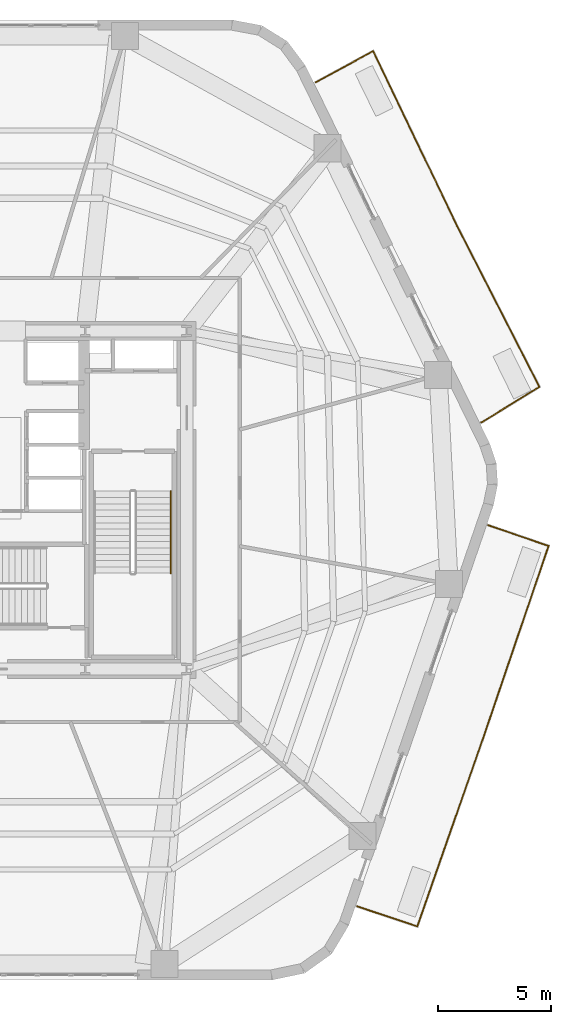
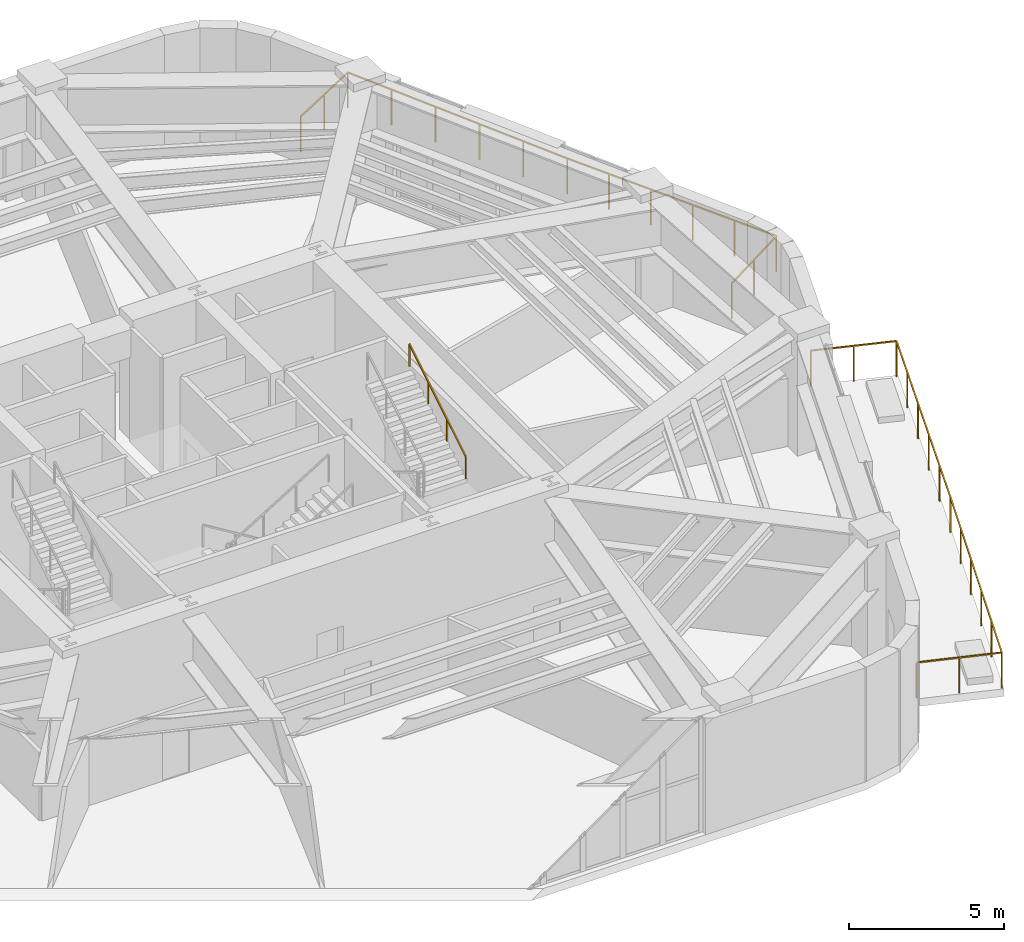
# One storey, part 22 of 22: 3 railings.
"""IFC4 building model written with IfcOpenShell, lengths in metres."""

from ifc_helpers import new_model, si_unit, direction, frame, origin, origin_2d, place, context, subcontext, project, spatial, rectangle, extrude, material, layer, layer_set, type_object, element, save


model = new_model("IFC4")

# Units and contexts
model_context = context("Model", 3, precision=1e-05, world=origin(), true_north=direction((0.0, 1.0)))
body_context = subcontext(model_context, "Body", "Model", "MODEL_VIEW")
ifc_project = project(units=[si_unit("LENGTHUNIT", "METRE"), si_unit("AREAUNIT", "SQUARE_METRE"), si_unit("VOLUMEUNIT", "CUBIC_METRE"), si_unit("PLANEANGLEUNIT", "RADIAN"), si_unit("MASSUNIT", "GRAM", prefix="KILO")], contexts=[model_context])

# Site, building, storey
site_placement = place(None, origin())
site = spatial("IfcSite", under=ifc_project, at=site_placement, CompositionType="ELEMENT")
building_placement = place(site_placement, origin())
building = spatial("IfcBuilding", under=site, at=building_placement, Name="Kilnhurst Terrace Hotel", CompositionType="ELEMENT")
storey_placement = place(building_placement, frame((0.0, 0.0, 139.5)))
storey = spatial("IfcBuildingStorey", under=building, at=storey_placement, Name="L34", CompositionType="ELEMENT", Elevation=139.5)

# Railings
ifc_material_1 = material(Name="Laminated SentryGlas and Stainless Steel AISI 316L Balustrade", Category="steel")
ifc_layer_1 = layer(ifc_material_1, 0.070068359375, Name="Laminated SentryGlas and Stainless Steel AISI 316L Balustrade")
ifc_layer_set_1 = layer_set([ifc_layer_1], Name="Laminated SentryGlas and Stainless Steel AISI 316L Balustrade")
railing_type_1 = type_object("IfcRailingType", Name="RLG-BAL-1420", PredefinedType="BALUSTRADE", material=ifc_layer_set_1)
railing_1_placement = place(storey_placement, frame((22.394287109375, -1.123779296875, 0.0)))
element("IfcRailing", 1, at=railing_1_placement, inside=storey, type_object=railing_type_1, Name="L34 Exterior Terrace Guardrail BAL-L1A.1", PredefinedType="BALUSTRADE", context=body_context, shape_type="SweptSolid", body=[
    extrude(rectangle(XDim=0.048095703125, YDim=0.048095703125, at=origin_2d()), frame((0.0, 0.0, 1.39599609375), z_axis=(0.945999088216, -0.324169284625, 0.0), x_axis=(0.324169284625, 0.945999088216, 0.0)), (0.0, 0.0, 1.0), 2.818115234375),
    extrude(rectangle(XDim=0.048095703125, YDim=0.048095703125, at=origin_2d()), frame((2.666015625, -0.91357421875, 1.39599609375), z_axis=(-0.322236749626, -0.946659113509, 0.0), x_axis=(0.946659113509, -0.322236749626, 0.0)), (0.0, 0.0, 1.0), 8.94921875),
    extrude(rectangle(XDim=0.048095703125, YDim=0.048095703125, at=origin_2d()), frame((-0.2177734375, -9.385498046875, 1.39599609375), z_axis=(-0.329867270016, -0.94402732173, 0.0), x_axis=(0.94402732173, -0.329867270016, 0.0)), (0.0, 0.0, 1.0), 8.9140625),
    extrude(rectangle(XDim=0.048095703125, YDim=0.048095703125, at=origin_2d()), frame((-3.158203125, -17.800537109375, 1.39599609375), z_axis=(-0.948125796951, 0.317895380834, 0.0), x_axis=(-0.317895380834, -0.948125796951, 0.0)), (0.0, 0.0, 1.0), 2.81005859375),
    extrude(rectangle(XDim=0.0419921875, YDim=0.0419921875, at=origin_2d()), origin(), (0.0, 0.0, 1.0), 1.371826171875),
    extrude(rectangle(XDim=0.0419921875, YDim=0.0419921875, at=origin_2d()), frame((1.3330078125, -0.456787109375, 0.0)), (0.0, 0.0, 1.0), 1.371826171875),
    extrude(rectangle(XDim=0.0419921875, YDim=0.0419921875, at=origin_2d()), frame((2.666015625, -0.91357421875, 0.0)), (0.0, 0.0, 1.0), 1.371826171875),
    extrude(rectangle(XDim=0.0419921875, YDim=0.0419921875, at=origin_2d()), frame((2.08935546875, -2.60791015625, 0.0)), (0.0, 0.0, 1.0), 1.371826171875),
    extrude(rectangle(XDim=0.0419921875, YDim=0.0419921875, at=origin_2d()), frame((1.512451171875, -4.30224609375, 0.0)), (0.0, 0.0, 1.0), 1.371826171875),
    extrude(rectangle(XDim=0.0419921875, YDim=0.0419921875, at=origin_2d()), frame((0.935791015625, -5.996826171875, 0.0)), (0.0, 0.0, 1.0), 1.371826171875),
    extrude(rectangle(XDim=0.0419921875, YDim=0.0419921875, at=origin_2d()), frame((0.35888671875, -7.691162109375, 0.0)), (0.0, 0.0, 1.0), 1.371826171875),
    extrude(rectangle(XDim=0.0419921875, YDim=0.0419921875, at=origin_2d()), frame((-0.2177734375, -9.385498046875, 0.0)), (0.0, 0.0, 1.0), 1.371826171875),
    extrude(rectangle(XDim=0.0419921875, YDim=0.0419921875, at=origin_2d()), frame((-0.805908203125, -11.068603515625, 0.0)), (0.0, 0.0, 1.0), 1.371826171875),
    extrude(rectangle(XDim=0.0419921875, YDim=0.0419921875, at=origin_2d()), frame((-1.39404296875, -12.75146484375, 0.0)), (0.0, 0.0, 1.0), 1.371826171875),
    extrude(rectangle(XDim=0.0419921875, YDim=0.0419921875, at=origin_2d()), frame((-1.98193359375, -14.4345703125, 0.0)), (0.0, 0.0, 1.0), 1.371826171875),
    extrude(rectangle(XDim=0.0419921875, YDim=0.0419921875, at=origin_2d()), frame((-2.570068359375, -16.117431640625, 0.0)), (0.0, 0.0, 1.0), 1.371826171875),
    extrude(rectangle(XDim=0.0419921875, YDim=0.0419921875, at=origin_2d()), frame((-3.158203125, -17.800537109375, 0.0)), (0.0, 0.0, 1.0), 1.371826171875),
    extrude(rectangle(XDim=0.0419921875, YDim=0.0419921875, at=origin_2d()), frame((-4.490234375, -17.35400390625, 0.0)), (0.0, 0.0, 1.0), 1.371826171875),
    extrude(rectangle(XDim=0.0419921875, YDim=0.0419921875, at=origin_2d()), frame((-5.822509765625, -16.9072265625, 0.0)), (0.0, 0.0, 1.0), 1.371826171875),
])
railing_2_placement = place(storey_placement, frame((14.722900390625, 18.529541015625, 0.0)))
element("IfcRailing", 2, at=railing_2_placement, inside=storey, type_object=railing_type_1, Name="L34 Exterior Terrace Guardrail BAL-L1B.1", PredefinedType="BALUSTRADE", context=body_context, shape_type="SweptSolid", body=[
    extrude(rectangle(XDim=0.048095703125, YDim=0.048095703125, at=origin_2d()), frame((0.0, 0.0, 1.39599609375), z_axis=(0.878553207741, 0.477644492451, 0.0), x_axis=(-0.477644492451, 0.878553207741, 0.0)), (0.0, 0.0, 1.0), 2.90478515625),
    extrude(rectangle(XDim=0.048095703125, YDim=0.048095703125, at=origin_2d()), frame((2.552001953125, 1.387451171875, 1.39599609375), z_axis=(0.43291229924, -0.901436043858, 0.0), x_axis=(0.901436043858, 0.43291229924, 0.0)), (0.0, 0.0, 1.0), 8.583251953125),
    extrude(rectangle(XDim=0.048095703125, YDim=0.048095703125, at=origin_2d()), frame((6.267822265625, -6.349853515625, 1.39599609375), z_axis=(0.514495755428, -0.857492925713, 0.0), x_axis=(0.857492925713, 0.514495755428, 0.0)), (0.0, 0.0, 1.0), 0.00146484375),
    extrude(rectangle(XDim=0.048095703125, YDim=0.048095703125, at=origin_2d()), frame((6.2685546875, -6.35107421875, 1.39599609375), z_axis=(0.455744437697, -0.890110671494, 0.0), x_axis=(0.890110671494, 0.455744437697, 0.0)), (0.0, 0.0, 1.0), 8.039794921875),
    extrude(rectangle(XDim=0.048095703125, YDim=0.048095703125, at=origin_2d()), frame((9.9326171875, -13.50732421875, 1.39599609375), z_axis=(-0.85191630472, -0.523677963784, 0.0), x_axis=(0.523677963784, -0.85191630472, 0.0)), (0.0, 0.0, 1.0), 3.0205078125),
    extrude(rectangle(XDim=0.0419921875, YDim=0.0419921875, at=origin_2d()), origin(), (0.0, 0.0, 1.0), 1.371826171875),
    extrude(rectangle(XDim=0.0419921875, YDim=0.0419921875, at=origin_2d()), frame((1.27587890625, 0.69384765625, 0.0)), (0.0, 0.0, 1.0), 1.371826171875),
    extrude(rectangle(XDim=0.0419921875, YDim=0.0419921875, at=origin_2d()), frame((2.552001953125, 1.387451171875, 0.0)), (0.0, 0.0, 1.0), 1.371826171875),
    extrude(rectangle(XDim=0.0419921875, YDim=0.0419921875, at=origin_2d()), frame((3.295166015625, -0.159912109375, 0.0)), (0.0, 0.0, 1.0), 1.371826171875),
    extrude(rectangle(XDim=0.0419921875, YDim=0.0419921875, at=origin_2d()), frame((4.038330078125, -1.70751953125, 0.0)), (0.0, 0.0, 1.0), 1.371826171875),
    extrude(rectangle(XDim=0.0419921875, YDim=0.0419921875, at=origin_2d()), frame((4.781494140625, -3.2548828125, 0.0)), (0.0, 0.0, 1.0), 1.371826171875),
    extrude(rectangle(XDim=0.0419921875, YDim=0.0419921875, at=origin_2d()), frame((5.524658203125, -4.802490234375, 0.0)), (0.0, 0.0, 1.0), 1.371826171875),
    extrude(rectangle(XDim=0.0419921875, YDim=0.0419921875, at=origin_2d()), frame((6.267822265625, -6.349853515625, 0.0)), (0.0, 0.0, 1.0), 1.371826171875),
    extrude(rectangle(XDim=0.0419921875, YDim=0.0419921875, at=origin_2d()), frame((6.2685546875, -6.35107421875, 0.0)), (0.0, 0.0, 1.0), 1.371826171875),
    extrude(rectangle(XDim=0.0419921875, YDim=0.0419921875, at=origin_2d()), frame((7.00146484375, -7.7822265625, 0.0)), (0.0, 0.0, 1.0), 1.371826171875),
    extrude(rectangle(XDim=0.0419921875, YDim=0.0419921875, at=origin_2d()), frame((7.734130859375, -9.213623046875, 0.0)), (0.0, 0.0, 1.0), 1.371826171875),
    extrude(rectangle(XDim=0.0419921875, YDim=0.0419921875, at=origin_2d()), frame((8.467041015625, -10.644775390625, 0.0)), (0.0, 0.0, 1.0), 1.371826171875),
    extrude(rectangle(XDim=0.0419921875, YDim=0.0419921875, at=origin_2d()), frame((9.19970703125, -12.076171875, 0.0)), (0.0, 0.0, 1.0), 1.371826171875),
    extrude(rectangle(XDim=0.0419921875, YDim=0.0419921875, at=origin_2d()), frame((9.9326171875, -13.50732421875, 0.0)), (0.0, 0.0, 1.0), 1.371826171875),
    extrude(rectangle(XDim=0.0419921875, YDim=0.0419921875, at=origin_2d()), frame((8.64599609375, -14.29833984375, 0.0)), (0.0, 0.0, 1.0), 1.371826171875),
    extrude(rectangle(XDim=0.0419921875, YDim=0.0419921875, at=origin_2d()), frame((7.359375, -15.089111328125, 0.0)), (0.0, 0.0, 1.0), 1.371826171875),
])
ifc_material_2 = material(Name="Brushed Stainless Steel AISI 304", Category="steel")
ifc_layer_2 = layer(ifc_material_2, 0.048095703125, Name="Brushed Stainless Steel AISI 304")
ifc_layer_set_2 = layer_set([ifc_layer_2], Name="Brushed Stainless Steel AISI 304")
railing_type_2 = type_object("IfcRailingType", Name="RLG-ST-HRL-900", PredefinedType="HANDRAIL", material=ifc_layer_set_2)
railing_3_placement = place(storey_placement, frame((8.300048828125, -3.25, 2.571533203125)))
element("IfcRailing", 3, at=railing_3_placement, inside=storey, type_object=railing_type_2, Name="L34 ST-2 stair handrail 2", PredefinedType="HANDRAIL", context=body_context, shape_type="SweptSolid", body=[
    extrude(rectangle(XDim=0.048095703125, YDim=0.048095703125, at=origin_2d()), frame((0.0, 0.0, 0.8759765625), z_axis=(0.0, 0.852850264322, 0.5221555579), x_axis=(-1.0, 0.0, 0.0)), (0.0, 0.0, 1.0), 4.267822265625),
    extrude(rectangle(XDim=0.0419921875, YDim=0.0419921875, at=origin_2d()), origin(), (0.0, 0.0, 1.0), 0.851806640625),
    extrude(rectangle(XDim=0.0419921875, YDim=0.0419921875, at=origin_2d()), frame((0.0, 1.21337890625, 0.742919921875)), (0.0, 0.0, 1.0), 0.851806640625),
    extrude(rectangle(XDim=0.0419921875, YDim=0.0419921875, at=origin_2d()), frame((0.0, 2.426513671875, 1.485595703125)), (0.0, 0.0, 1.0), 0.851806640625),
    extrude(rectangle(XDim=0.0419921875, YDim=0.0419921875, at=origin_2d()), frame((0.0, 3.639892578125, 2.228515625)), (0.0, 0.0, 1.0), 0.851806640625),
])

save(model, "model.ifc")
